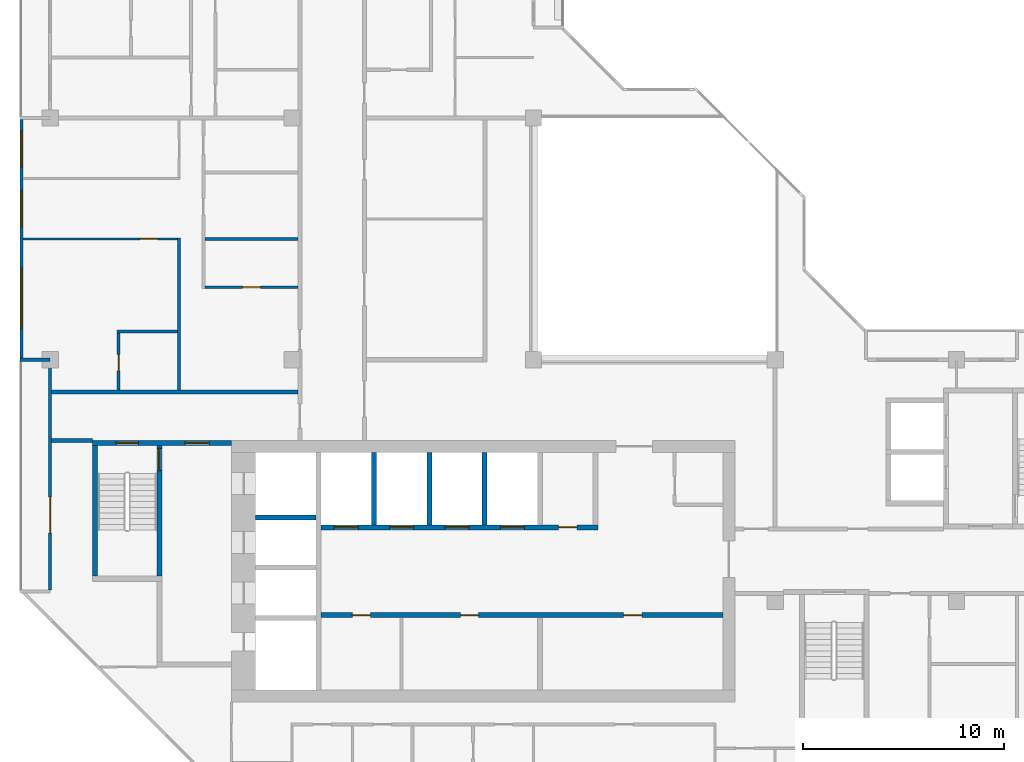
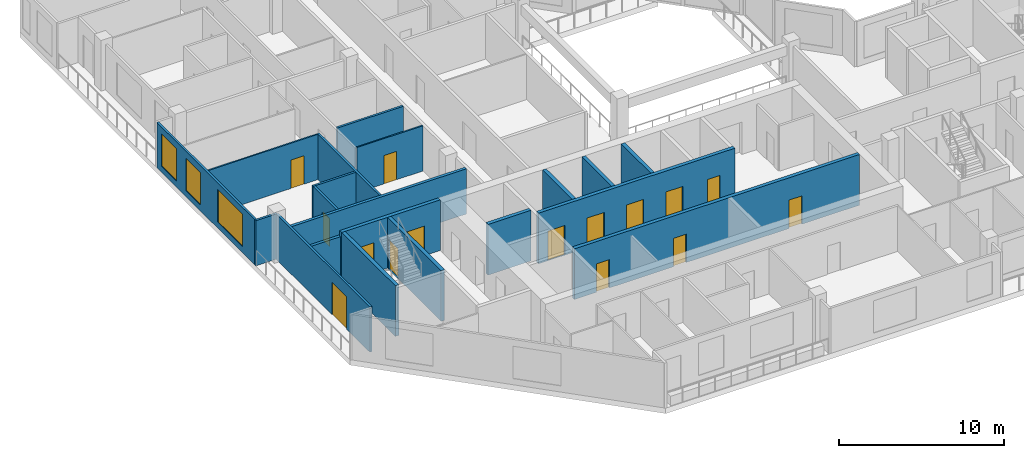
# One storey, part 5 of 13: 20 walls, 15 doors, 3 windows, 18 openings.
"""IFC4 building model written with IfcOpenShell, lengths in metres."""

from ifc_helpers import new_model, si_unit, direction, frame, frame_2d, origin, place, context, subcontext, project, spatial, rectangle, extrude, material, layer, layer_set, type_object, element, fill, save


model = new_model("IFC4")

# Units and contexts
model_context = context("Model", 3, precision=1e-05, world=origin(), true_north=direction((0.0, 1.0)))
body_context = subcontext(model_context, "Body", "Model", "MODEL_VIEW")
ifc_project = project(units=[si_unit("LENGTHUNIT", "METRE"), si_unit("AREAUNIT", "SQUARE_METRE"), si_unit("VOLUMEUNIT", "CUBIC_METRE"), si_unit("PLANEANGLEUNIT", "RADIAN"), si_unit("MASSUNIT", "GRAM", prefix="KILO")], contexts=[model_context])

# Site, building, storey
site_placement = place(None, origin())
site = spatial("IfcSite", under=ifc_project, at=site_placement, CompositionType="ELEMENT")
building_placement = place(site_placement, origin())
building = spatial("IfcBuilding", under=site, at=building_placement, Name="Chenar Terraces", CompositionType="ELEMENT")
storey_placement = place(building_placement, frame((0.0, 0.0, 314.64990234375)))
storey = spatial("IfcBuildingStorey", under=building, at=storey_placement, Name="L74", CompositionType="ELEMENT", Elevation=314.64990234375)

# Wall, openings, doors
ifc_material_1 = material(Name="Concrete C50/60", Category="concrete")
ifc_layer_1 = layer(ifc_material_1, 0.25)
ifc_layer_set_1 = layer_set([ifc_layer_1], Name="Concrete C50/60")
wall_type_1 = type_object("IfcWallType", Name="Core wall 250 Concrete C50/60", PredefinedType="SHEAR", material=ifc_layer_set_1)
wall_1_placement = place(storey_placement, frame((13.449951171875, 11.324951171875, 0.0), z_axis=(0.0, 0.0, 1.0), x_axis=(1.0, 0.0, 0.0)))
wall_1 = element("IfcWall", 1, at=wall_1_placement, inside=storey, type_object=wall_type_1, Name="Core wall SF L74", PredefinedType="SHEAR", context=body_context, shape_type="SweptSolid", body=[
    extrude(rectangle(XDim=19.949951171875, YDim=0.25, at=frame_2d((9.97509765625, 0.0))), origin(), (0.0, 0.0, 1.0), 3.75),
])
opening_1_placement = place(wall_1_placement, frame((1.550048828125, 0.0, 0.0)))
opening_1 = element("IfcOpeningElement", 2, at=opening_1_placement, cuts=wall_1, Name="Opening DL74-C12", PredefinedType="OPENING", context=body_context, shape_type="SweptSolid", body=[
    extrude(rectangle(XDim=0.89990234375, YDim=2.10009765625, at=frame_2d((0.449951171875, 1.050048828125))), frame((0.0, 0.135009765625, 0.0), z_axis=(0.0, -1.0, 0.0), x_axis=(1.0, 0.0, 0.0)), (0.0, 0.0, 1.0), 0.27001953125),
])
opening_2_placement = place(wall_1_placement, frame((6.925048828125, 0.0, 0.0)))
opening_2 = element("IfcOpeningElement", 3, at=opening_2_placement, cuts=wall_1, Name="Opening DL74-C13", PredefinedType="OPENING", context=body_context, shape_type="SweptSolid", body=[
    extrude(rectangle(XDim=0.89990234375, YDim=2.10009765625, at=frame_2d((0.449951171875, 1.050048828125))), frame((0.0, 0.135009765625, 0.0), z_axis=(0.0, -1.0, 0.0), x_axis=(1.0, 0.0, 0.0)), (0.0, 0.0, 1.0), 0.27001953125),
])
opening_3_placement = place(wall_1_placement, frame((15.02490234375, 0.0, 0.0)))
opening_3 = element("IfcOpeningElement", 4, at=opening_3_placement, cuts=wall_1, Name="Opening DL74-C14", PredefinedType="OPENING", context=body_context, shape_type="SweptSolid", body=[
    extrude(rectangle(XDim=0.89990234375, YDim=2.10009765625, at=frame_2d((0.449951171875, 1.050048828125))), frame((0.0, 0.135009765625, 0.0), z_axis=(0.0, -1.0, 0.0), x_axis=(1.0, 0.0, 0.0)), (0.0, 0.0, 1.0), 0.27001953125),
])
ifc_material_2 = material(Name="Steel-framed fire-resisting door leaf", Category="steel")
door_type_1 = type_object("IfcDoorType", Name="Riser fire door FD60 900 x 2100", OperationType="SINGLE_SWING_LEFT", PredefinedType="DOOR", material=ifc_material_2)
door_1_placement = place(opening_1_placement, frame((0.89990234375, 0.0, 0.0), z_axis=(0.0, 0.0, 1.0), x_axis=(-1.0, 0.0, 0.0)))
door_1 = element("IfcDoor", 5, at=door_1_placement, inside=storey, type_object=door_type_1, Name="Core room door DL74-C12", OperationType="SINGLE_SWING_LEFT", OverallHeight=2.10009765625, OverallWidth=0.89990234375, PredefinedType="DOOR", context=body_context, shape_type="SweptSolid", body=[
    extrude(rectangle(XDim=0.89990234375, YDim=2.10009765625, at=frame_2d((0.449951171875, 1.050048828125))), frame((0.0, 0.02490234375, 0.0), z_axis=(0.0, -1.0, 0.0), x_axis=(1.0, 0.0, 0.0)), (0.0, 0.0, 1.0), 0.050048828125),
])
fill(opening_1, door_1)
door_2_placement = place(opening_2_placement, frame((0.89990234375, 0.0, 0.0), z_axis=(0.0, 0.0, 1.0), x_axis=(-1.0, 0.0, 0.0)))
door_2 = element("IfcDoor", 6, at=door_2_placement, inside=storey, type_object=door_type_1, Name="Core room door DL74-C13", OperationType="SINGLE_SWING_RIGHT", OverallHeight=2.10009765625, OverallWidth=0.89990234375, PredefinedType="DOOR", context=body_context, shape_type="SweptSolid", body=[
    extrude(rectangle(XDim=0.89990234375, YDim=2.10009765625, at=frame_2d((0.449951171875, 1.050048828125))), frame((0.0, 0.02490234375, 0.0), z_axis=(0.0, -1.0, 0.0), x_axis=(1.0, 0.0, 0.0)), (0.0, 0.0, 1.0), 0.050048828125),
])
fill(opening_2, door_2)
door_3_placement = place(opening_3_placement, frame((0.89990234375, 0.0, 0.0), z_axis=(0.0, 0.0, 1.0), x_axis=(-1.0, 0.0, 0.0)))
door_3 = element("IfcDoor", 7, at=door_3_placement, inside=storey, type_object=door_type_1, Name="Core room door DL74-C14", OperationType="SINGLE_SWING_LEFT", OverallHeight=2.10009765625, OverallWidth=0.89990234375, PredefinedType="DOOR", context=body_context, shape_type="SweptSolid", body=[
    extrude(rectangle(XDim=0.89990234375, YDim=2.10009765625, at=frame_2d((0.449951171875, 1.050048828125))), frame((0.0, 0.02490234375, 0.0), z_axis=(0.0, -1.0, 0.0), x_axis=(1.0, 0.0, 0.0)), (0.0, 0.0, 1.0), 0.050048828125),
])
fill(opening_3, door_3)

wall_2_placement = place(storey_placement, frame((13.449951171875, 15.675048828125, 0.0), z_axis=(0.0, 0.0, 1.0), x_axis=(1.0, 0.0, 0.0)))
wall_2 = element("IfcWall", 8, at=wall_2_placement, inside=storey, type_object=wall_type_1, Name="Core wall NF L74", PredefinedType="SHEAR", context=body_context, shape_type="SweptSolid", body=[
    extrude(rectangle(XDim=13.75, YDim=0.25, at=frame_2d((6.875, 0.0))), origin(), (0.0, 0.0, 1.0), 3.75),
])
opening_4_placement = place(wall_2_placement, frame((0.64990234375, 0.0, 0.0)))
opening_4 = element("IfcOpeningElement", 9, at=opening_4_placement, cuts=wall_2, Name="Opening DL74-LD1", PredefinedType="OPENING", context=body_context, shape_type="SweptSolid", body=[
    extrude(rectangle(XDim=1.199951171875, YDim=2.199951171875, at=frame_2d((0.60009765625, 1.10009765625))), frame((0.0, 0.135009765625, 0.0), z_axis=(0.0, -1.0, 0.0), x_axis=(1.0, 0.0, 0.0)), (0.0, 0.0, 1.0), 0.27001953125),
])
opening_5_placement = place(wall_2_placement, frame((3.39990234375, 0.0, 0.0)))
opening_5 = element("IfcOpeningElement", 10, at=opening_5_placement, cuts=wall_2, Name="Opening DL74-LD2", PredefinedType="OPENING", context=body_context, shape_type="SweptSolid", body=[
    extrude(rectangle(XDim=1.199951171875, YDim=2.199951171875, at=frame_2d((0.60009765625, 1.10009765625))), frame((0.0, 0.135009765625, 0.0), z_axis=(0.0, -1.0, 0.0), x_axis=(1.0, 0.0, 0.0)), (0.0, 0.0, 1.0), 0.27001953125),
])
opening_6_placement = place(wall_2_placement, frame((6.14990234375, 0.0, 0.0)))
opening_6 = element("IfcOpeningElement", 11, at=opening_6_placement, cuts=wall_2, Name="Opening DL74-LD3", PredefinedType="OPENING", context=body_context, shape_type="SweptSolid", body=[
    extrude(rectangle(XDim=1.199951171875, YDim=2.199951171875, at=frame_2d((0.60009765625, 1.10009765625))), frame((0.0, 0.135009765625, 0.0), z_axis=(0.0, -1.0, 0.0), x_axis=(1.0, 0.0, 0.0)), (0.0, 0.0, 1.0), 0.27001953125),
])
opening_7_placement = place(wall_2_placement, frame((8.89990234375, 0.0, 0.0)))
opening_7 = element("IfcOpeningElement", 12, at=opening_7_placement, cuts=wall_2, Name="Opening DL74-LD4", PredefinedType="OPENING", context=body_context, shape_type="SweptSolid", body=[
    extrude(rectangle(XDim=1.199951171875, YDim=2.199951171875, at=frame_2d((0.60009765625, 1.10009765625))), frame((0.0, 0.135009765625, 0.0), z_axis=(0.0, -1.0, 0.0), x_axis=(1.0, 0.0, 0.0)), (0.0, 0.0, 1.0), 0.27001953125),
])
opening_8_placement = place(wall_2_placement, frame((11.800048828125, 0.0, 0.0)))
opening_8 = element("IfcOpeningElement", 13, at=opening_8_placement, cuts=wall_2, Name="Opening DL74-C15", PredefinedType="OPENING", context=body_context, shape_type="SweptSolid", body=[
    extrude(rectangle(XDim=0.89990234375, YDim=2.10009765625, at=frame_2d((0.449951171875, 1.050048828125))), frame((0.0, 0.135009765625, 0.0), z_axis=(0.0, -1.0, 0.0), x_axis=(1.0, 0.0, 0.0)), (0.0, 0.0, 1.0), 0.27001953125),
])
ifc_material_3 = material(Name="Stainless steel", Category="steel")
door_type_2 = type_object("IfcDoorType", Name="Lift landing door 1200 x 2200 sliding", OperationType="DOUBLE_DOOR_SLIDING", PredefinedType="DOOR", material=ifc_material_3)
door_4_placement = place(opening_4_placement, origin())
door_4 = element("IfcDoor", 14, at=door_4_placement, inside=storey, type_object=door_type_2, Name="Landing door H1", OperationType="DOUBLE_DOOR_SLIDING", OverallHeight=2.199951171875, OverallWidth=1.199951171875, PredefinedType="DOOR", context=body_context, shape_type="SweptSolid", body=[
    extrude(rectangle(XDim=1.199951171875, YDim=2.199951171875, at=frame_2d((0.60009765625, 1.10009765625))), frame((0.0, 0.02490234375, 0.0), z_axis=(0.0, -1.0, 0.0), x_axis=(1.0, 0.0, 0.0)), (0.0, 0.0, 1.0), 0.050048828125),
])
fill(opening_4, door_4)
door_5_placement = place(opening_5_placement, origin())
door_5 = element("IfcDoor", 15, at=door_5_placement, inside=storey, type_object=door_type_2, Name="Landing door H2", OperationType="DOUBLE_DOOR_SLIDING", OverallHeight=2.199951171875, OverallWidth=1.199951171875, PredefinedType="DOOR", context=body_context, shape_type="SweptSolid", body=[
    extrude(rectangle(XDim=1.199951171875, YDim=2.199951171875, at=frame_2d((0.60009765625, 1.10009765625))), frame((0.0, 0.02490234375, 0.0), z_axis=(0.0, -1.0, 0.0), x_axis=(1.0, 0.0, 0.0)), (0.0, 0.0, 1.0), 0.050048828125),
])
fill(opening_5, door_5)
door_6_placement = place(opening_6_placement, origin())
door_6 = element("IfcDoor", 16, at=door_6_placement, inside=storey, type_object=door_type_2, Name="Landing door H3", OperationType="DOUBLE_DOOR_SLIDING", OverallHeight=2.199951171875, OverallWidth=1.199951171875, PredefinedType="DOOR", context=body_context, shape_type="SweptSolid", body=[
    extrude(rectangle(XDim=1.199951171875, YDim=2.199951171875, at=frame_2d((0.60009765625, 1.10009765625))), frame((0.0, 0.02490234375, 0.0), z_axis=(0.0, -1.0, 0.0), x_axis=(1.0, 0.0, 0.0)), (0.0, 0.0, 1.0), 0.050048828125),
])
fill(opening_6, door_6)
door_7_placement = place(opening_7_placement, origin())
door_7 = element("IfcDoor", 17, at=door_7_placement, inside=storey, type_object=door_type_2, Name="Landing door H4", OperationType="DOUBLE_DOOR_SLIDING", OverallHeight=2.199951171875, OverallWidth=1.199951171875, PredefinedType="DOOR", context=body_context, shape_type="SweptSolid", body=[
    extrude(rectangle(XDim=1.199951171875, YDim=2.199951171875, at=frame_2d((0.60009765625, 1.10009765625))), frame((0.0, 0.02490234375, 0.0), z_axis=(0.0, -1.0, 0.0), x_axis=(1.0, 0.0, 0.0)), (0.0, 0.0, 1.0), 0.050048828125),
])
fill(opening_7, door_7)
door_8_placement = place(opening_8_placement, origin())
door_8 = element("IfcDoor", 18, at=door_8_placement, inside=storey, type_object=door_type_1, Name="Core room door DL74-C15", OperationType="SINGLE_SWING_RIGHT", OverallHeight=2.10009765625, OverallWidth=0.89990234375, PredefinedType="DOOR", context=body_context, shape_type="SweptSolid", body=[
    extrude(rectangle(XDim=0.89990234375, YDim=2.10009765625, at=frame_2d((0.449951171875, 1.050048828125))), frame((0.0, 0.02490234375, 0.0), z_axis=(0.0, -1.0, 0.0), x_axis=(1.0, 0.0, 0.0)), (0.0, 0.0, 1.0), 0.050048828125),
])
fill(opening_8, door_8)

# Walls
wall_3_placement = place(storey_placement, frame((10.199951171875, 16.175048828125, 0.0), z_axis=(0.0, 0.0, 1.0), x_axis=(1.0, 0.0, 0.0)))
element("IfcWall", 19, at=wall_3_placement, inside=storey, type_object=wall_type_1, Name="Core wall HW2 L74", PredefinedType="SHEAR", context=body_context, shape_type="SweptSolid", body=[
    extrude(rectangle(XDim=3.0, YDim=0.25, at=frame_2d((1.5, 0.0))), origin(), (0.0, 0.0, 1.0), 3.75),
])
for number, where, z_axis, x_axis, name in (
    (20, (16.074951171875, 15.800048828125, 0.0), (0.0, 0.0, 1.0), (0.0, 1.0, 0.0), "Core wall NS0 L74"),
    (21, (18.824951171875, 15.800048828125, 0.0), (0.0, 0.0, 1.0), (0.0, 1.0, 0.0), "Core wall NS1 L74"),
    (22, (21.574951171875, 15.800048828125, 0.0), (0.0, 0.0, 1.0), (0.0, 1.0, 0.0), "Core wall NS2 L74"),
):
    element("IfcWall", number, at=place(storey_placement, frame(where, z_axis=z_axis, x_axis=x_axis)), inside=storey, type_object=wall_type_1, Name=name, PredefinedType="SHEAR", context=body_context, shape_type="SweptSolid", body=[
        extrude(rectangle(XDim=3.599853515625, YDim=0.25, at=frame_2d((1.7998046875, 0.0))), origin(), (0.0, 0.0, 1.0), 3.75),
    ])

# Wall, openings, doors
wall_4_placement = place(storey_placement, frame((2.10009765625, 19.875, 0.0), z_axis=(0.0, 0.0, 1.0), x_axis=(1.0, 0.0, 0.0)))
wall_4 = element("IfcWall", 23, at=wall_4_placement, inside=storey, type_object=wall_type_1, Name="Core wall A_N L74", PredefinedType="SHEAR", context=body_context, shape_type="SweptSolid", body=[
    extrude(rectangle(XDim=6.89990234375, YDim=0.25, at=frame_2d((3.449951171875, 0.0))), origin(), (0.0, 0.0, 1.0), 3.75),
])
opening_9_placement = place(wall_4_placement, frame((1.175048828125, 0.0, 0.0)))
opening_9 = element("IfcOpeningElement", 24, at=opening_9_placement, cuts=wall_4, Name="Opening DL74-C5", PredefinedType="OPENING", context=body_context, shape_type="SweptSolid", body=[
    extrude(rectangle(XDim=1.10009765625, YDim=2.199951171875, at=frame_2d((0.550048828125, 1.10009765625))), frame((0.0, 0.135009765625, 0.0), z_axis=(0.0, -1.0, 0.0), x_axis=(1.0, 0.0, 0.0)), (0.0, 0.0, 1.0), 0.27001953125),
])
opening_10_placement = place(wall_4_placement, frame((4.60009765625, 0.0, 0.0)))
opening_10 = element("IfcOpeningElement", 25, at=opening_10_placement, cuts=wall_4, Name="Opening DL74-C6", PredefinedType="OPENING", context=body_context, shape_type="SweptSolid", body=[
    extrude(rectangle(XDim=1.199951171875, YDim=2.199951171875, at=frame_2d((0.60009765625, 1.10009765625))), frame((0.0, 0.135009765625, 0.0), z_axis=(0.0, -1.0, 0.0), x_axis=(1.0, 0.0, 0.0)), (0.0, 0.0, 1.0), 0.27001953125),
])
ifc_material_4 = material(Name="Steel-framed fire-resisting door leaf", Category="steel")
door_type_3 = type_object("IfcDoorType", Name="Lobby fire door FD60 1200 x 2200", OperationType="SINGLE_SWING_LEFT", PredefinedType="DOOR", material=ifc_material_4)
door_9_placement = place(opening_10_placement, frame((1.199951171875, 0.0, 0.0), z_axis=(0.0, 0.0, 1.0), x_axis=(-1.0, 0.0, 0.0)))
door_9 = element("IfcDoor", 26, at=door_9_placement, inside=storey, type_object=door_type_3, Name="Core door DL74-C6", OperationType="SINGLE_SWING_LEFT", OverallHeight=2.199951171875, OverallWidth=1.199951171875, PredefinedType="DOOR", context=body_context, shape_type="SweptSolid", body=[
    extrude(rectangle(XDim=1.199951171875, YDim=2.199951171875, at=frame_2d((0.60009765625, 1.10009765625))), frame((0.0, 0.02490234375, 0.0), z_axis=(0.0, -1.0, 0.0), x_axis=(1.0, 0.0, 0.0)), (0.0, 0.0, 1.0), 0.050048828125),
])
fill(opening_10, door_9)
ifc_material_5 = material(Name="Steel-framed fire-resisting door leaf", Category="steel")
door_type_4 = type_object("IfcDoorType", Name="Stair fire door FD60 1100 x 2200", OperationType="SINGLE_SWING_LEFT", PredefinedType="DOOR", material=ifc_material_5)
door_10_placement = place(opening_9_placement, origin())
door_10 = element("IfcDoor", 27, at=door_10_placement, inside=storey, type_object=door_type_4, Name="Stair door DL74-C5", OperationType="SINGLE_SWING_LEFT", OverallHeight=2.199951171875, OverallWidth=1.10009765625, PredefinedType="DOOR", context=body_context, shape_type="SweptSolid", body=[
    extrude(rectangle(XDim=1.10009765625, YDim=2.199951171875, at=frame_2d((0.550048828125, 1.10009765625))), frame((0.0, 0.02490234375, 0.0), z_axis=(0.0, -1.0, 0.0), x_axis=(1.0, 0.0, 0.0)), (0.0, 0.0, 1.0), 0.050048828125),
])
fill(opening_9, door_10)

# Wall
wall_5_placement = place(storey_placement, frame((2.22509765625, 13.25, 0.0), z_axis=(0.0, 0.0, 1.0), x_axis=(0.0, 1.0, 0.0)))
element("IfcWall", 28, at=wall_5_placement, inside=storey, type_object=wall_type_1, Name="Core wall ST1_W L74", PredefinedType="SHEAR", context=body_context, shape_type="SweptSolid", body=[
    extrude(rectangle(XDim=6.5, YDim=0.25, at=frame_2d((3.25, 0.0))), origin(), (0.0, 0.0, 1.0), 3.75),
])

# Wall, opening, door
wall_6_placement = place(storey_placement, frame((5.425048828125, 13.25, 0.0), z_axis=(0.0, 0.0, 1.0), x_axis=(0.0, 1.0, 0.0)))
wall_6 = element("IfcWall", 29, at=wall_6_placement, inside=storey, type_object=wall_type_1, Name="Core wall ST1_E L74", PredefinedType="SHEAR", context=body_context, shape_type="SweptSolid", body=[
    extrude(rectangle(XDim=6.5, YDim=0.25, at=frame_2d((3.25, 0.0))), origin(), (0.0, 0.0, 1.0), 3.75),
])
opening_11_placement = place(wall_6_placement, frame((5.25, 0.0, 0.0)))
opening_11 = element("IfcOpeningElement", 30, at=opening_11_placement, cuts=wall_6, Name="Opening DL74-C3", PredefinedType="OPENING", context=body_context, shape_type="SweptSolid", body=[
    extrude(rectangle(XDim=1.10009765625, YDim=2.199951171875, at=frame_2d((0.550048828125, 1.10009765625))), frame((0.0, 0.135009765625, 0.0), z_axis=(0.0, -1.0, 0.0), x_axis=(1.0, 0.0, 0.0)), (0.0, 0.0, 1.0), 0.27001953125),
])
door_11_placement = place(opening_11_placement, origin())
door_11 = element("IfcDoor", 31, at=door_11_placement, inside=storey, type_object=door_type_4, Name="Stair door DL74-C3", OperationType="SINGLE_SWING_RIGHT", OverallHeight=2.199951171875, OverallWidth=1.10009765625, PredefinedType="DOOR", context=body_context, shape_type="SweptSolid", body=[
    extrude(rectangle(XDim=1.10009765625, YDim=2.199951171875, at=frame_2d((0.550048828125, 1.10009765625))), frame((0.0, 0.02490234375, 0.0), z_axis=(0.0, -1.0, 0.0), x_axis=(1.0, 0.0, 0.0)), (0.0, 0.0, 1.0), 0.050048828125),
])
fill(opening_11, door_11)

# Walls
ifc_material_6 = material(Name="Gypsum board on steel studs with fire boards", Category="steel")
ifc_layer_2 = layer(ifc_material_6, 0.199951171875)
ifc_layer_set_2 = layer_set([ifc_layer_2], Name="Gypsum board on steel studs with fire boards")
wall_type_2 = type_object("IfcWallType", Name="Corridor wall 200", PredefinedType="PARTITIONING", material=ifc_layer_set_2)
wall_7_placement = place(storey_placement, frame((0.073974609375, 20.0, 0.0), z_axis=(0.0, 0.0, 1.0), x_axis=(1.0, 0.0, 0.0)))
element("IfcWall", 32, at=wall_7_placement, inside=storey, type_object=wall_type_2, Name="Partition L74-006", PredefinedType="PARTITIONING", context=body_context, shape_type="SweptSolid", body=[
    extrude(rectangle(XDim=2.026123046875, YDim=0.199951171875, at=frame_2d((1.01318359375, 0.0))), origin(), (0.0, 0.0, 1.0), 3.35009765625),
])
wall_8_placement = place(storey_placement, frame((0.073974609375, 22.39990234375, 0.0), z_axis=(0.0, 0.0, 1.0), x_axis=(1.0, 0.0, 0.0)))
element("IfcWall", 33, at=wall_8_placement, inside=storey, type_object=wall_type_2, Name="Partition L74-007", PredefinedType="PARTITIONING", context=body_context, shape_type="SweptSolid", body=[
    extrude(rectangle(XDim=12.22607421875, YDim=0.199951171875, at=frame_2d((6.113037109375, 0.0))), origin(), (0.0, 0.0, 1.0), 3.35009765625),
])

# Wall, openings, windows
ifc_material_7 = material(Name="Aluminium framed glazing", Category="aluminium")
ifc_layer_3 = layer(ifc_material_7, 0.14990234375)
ifc_layer_set_3 = layer_set([ifc_layer_3], Name="Aluminium framed glazing")
wall_type_3 = type_object("IfcWallType", Name="Glazed flush facade wall 150", PredefinedType="SOLIDWALL", material=ifc_layer_set_3)
wall_9_placement = place(storey_placement, frame((-1.425048828125, 35.925048828125, 0.0), z_axis=(0.0, 0.0, 1.0), x_axis=(0.0, -1.0, 0.0)))
wall_9 = element("IfcWall", 34, at=wall_9_placement, inside=storey, type_object=wall_type_3, Name="Glazed flush facade wall", PredefinedType="SOLIDWALL", context=body_context, shape_type="SweptSolid", body=[
    extrude(rectangle(XDim=11.85009765625, YDim=0.14990234375, at=frame_2d((5.925048828125, 0.0))), origin(), (0.0, 0.0, 1.0), 3.35009765625),
])
opening_12_placement = place(wall_9_placement, frame((0.5625, 0.0, 0.449951171875)))
opening_12 = element("IfcOpeningElement", 35, at=opening_12_placement, cuts=wall_9, Name="Opening W180x240", PredefinedType="OPENING", context=body_context, shape_type="SweptSolid", body=[
    extrude(rectangle(XDim=1.800048828125, YDim=2.39990234375, at=frame_2d((0.89990234375, 1.199951171875))), frame((0.0, 0.0849609375, 0.0), z_axis=(0.0, -1.0, 0.0), x_axis=(1.0, 0.0, 0.0)), (0.0, 0.0, 1.0), 0.169921875),
])
opening_13_placement = place(wall_9_placement, frame((3.52490234375, 0.0, 0.449951171875)))
opening_13 = element("IfcOpeningElement", 36, at=opening_13_placement, cuts=wall_9, Name="Opening W180x240", PredefinedType="OPENING", context=body_context, shape_type="SweptSolid", body=[
    extrude(rectangle(XDim=1.800048828125, YDim=2.39990234375, at=frame_2d((0.89990234375, 1.199951171875))), frame((0.0, 0.0849609375, 0.0), z_axis=(0.0, -1.0, 0.0), x_axis=(1.0, 0.0, 0.0)), (0.0, 0.0, 1.0), 0.169921875),
])
opening_14_placement = place(wall_9_placement, frame((7.387451171875, 0.0, 0.449951171875)))
opening_14 = element("IfcOpeningElement", 37, at=opening_14_placement, cuts=wall_9, Name="Opening W300x240", PredefinedType="OPENING", context=body_context, shape_type="SweptSolid", body=[
    extrude(rectangle(XDim=3.0, YDim=2.39990234375, at=frame_2d((1.5, 1.199951171875))), frame((0.0, 0.0849609375, 0.0), z_axis=(0.0, -1.0, 0.0), x_axis=(1.0, 0.0, 0.0)), (0.0, 0.0, 1.0), 0.169921875),
])
ifc_material_8 = material(Name="Low emissivity double glazing, aluminium frame", Category="aluminium")
window_type_1 = type_object("IfcWindowType", Name="Fixed light 1800 x 2400", PartitioningType="SINGLE_PANEL", PredefinedType="WINDOW", material=ifc_material_8)
window_1_placement = place(opening_12_placement, origin())
window_1 = element("IfcWindow", 38, at=window_1_placement, inside=storey, type_object=window_type_1, Name="Window", OverallHeight=2.39990234375, OverallWidth=1.800048828125, PartitioningType="SINGLE_PANEL", PredefinedType="WINDOW", context=body_context, shape_type="SweptSolid", body=[
    extrude(rectangle(XDim=1.800048828125, YDim=2.39990234375, at=frame_2d((0.89990234375, 1.199951171875))), frame((0.0, 0.030029296875, 0.0), z_axis=(0.0, -1.0, 0.0), x_axis=(1.0, 0.0, 0.0)), (0.0, 0.0, 1.0), 0.06005859375),
])
fill(opening_12, window_1)
window_2_placement = place(opening_13_placement, origin())
window_2 = element("IfcWindow", 39, at=window_2_placement, inside=storey, type_object=window_type_1, Name="Window", OverallHeight=2.39990234375, OverallWidth=1.800048828125, PartitioningType="SINGLE_PANEL", PredefinedType="WINDOW", context=body_context, shape_type="SweptSolid", body=[
    extrude(rectangle(XDim=1.800048828125, YDim=2.39990234375, at=frame_2d((0.89990234375, 1.199951171875))), frame((0.0, 0.030029296875, 0.0), z_axis=(0.0, -1.0, 0.0), x_axis=(1.0, 0.0, 0.0)), (0.0, 0.0, 1.0), 0.06005859375),
])
fill(opening_13, window_2)
ifc_material_9 = material(Name="Low emissivity double glazing, aluminium frame", Category="aluminium")
window_type_2 = type_object("IfcWindowType", Name="Fixed light 3000 x 2400", PartitioningType="SINGLE_PANEL", PredefinedType="WINDOW", material=ifc_material_9)
window_3_placement = place(opening_14_placement, origin())
window_3 = element("IfcWindow", 40, at=window_3_placement, inside=storey, type_object=window_type_2, Name="Window", OverallHeight=2.39990234375, OverallWidth=3.0, PartitioningType="SINGLE_PANEL", PredefinedType="WINDOW", context=body_context, shape_type="SweptSolid", body=[
    extrude(rectangle(XDim=3.0, YDim=2.39990234375, at=frame_2d((1.5, 1.199951171875))), frame((0.0, 0.030029296875, 0.0), z_axis=(0.0, -1.0, 0.0), x_axis=(1.0, 0.0, 0.0)), (0.0, 0.0, 1.0), 0.06005859375),
])
fill(opening_14, window_3)

# Wall, opening, door
ifc_material_10 = material(Name="Aluminium framed glazing", Category="aluminium")
ifc_layer_4 = layer(ifc_material_10, 0.14990234375)
ifc_layer_set_4 = layer_set([ifc_layer_4], Name="Aluminium framed glazing")
wall_type_4 = type_object("IfcWallType", Name="Glazed loggia back wall 150", PredefinedType="SOLIDWALL", material=ifc_layer_set_4)
wall_10_placement = place(storey_placement, frame((0.0, 23.925048828125, 0.0), z_axis=(0.0, 0.0, 1.0), x_axis=(0.0, -1.0, 0.0)))
wall_10 = element("IfcWall", 41, at=wall_10_placement, inside=storey, type_object=wall_type_4, Name="Glazed loggia back wall", PredefinedType="SOLIDWALL", context=body_context, shape_type="SweptSolid", body=[
    extrude(rectangle(XDim=11.35009765625, YDim=0.14990234375, at=frame_2d((5.675048828125, 0.0))), origin(), (0.0, 0.0, 1.0), 3.35009765625),
])
opening_15_placement = place(wall_10_placement, frame((6.737548828125, 0.0, 0.0)))
opening_15 = element("IfcOpeningElement", 42, at=opening_15_placement, cuts=wall_10, Name="Opening DL74-G3", PredefinedType="OPENING", context=body_context, shape_type="SweptSolid", body=[
    extrude(rectangle(XDim=1.800048828125, YDim=2.39990234375, at=frame_2d((0.89990234375, 1.199951171875))), frame((0.0, 0.0849609375, 0.0), z_axis=(0.0, -1.0, 0.0), x_axis=(1.0, 0.0, 0.0)), (0.0, 0.0, 1.0), 0.169921875),
])
ifc_material_11 = material(Name="Low emissivity double glazing, aluminium frame", Category="aluminium")
door_type_5 = type_object("IfcDoorType", Name="Loggia glazed double door 1800 x 2400", OperationType="DOUBLE_DOOR_SINGLE_SWING", PredefinedType="DOOR", material=ifc_material_11)
door_12_placement = place(opening_15_placement, frame((1.800048828125, 0.0, 0.0), z_axis=(0.0, 0.0, 1.0), x_axis=(-1.0, 0.0, 0.0)))
door_12 = element("IfcDoor", 43, at=door_12_placement, inside=storey, type_object=door_type_5, Name="Loggia glazed door", OperationType="DOUBLE_DOOR_SINGLE_SWING", OverallHeight=2.39990234375, OverallWidth=1.800048828125, PredefinedType="DOOR", context=body_context, shape_type="SweptSolid", body=[
    extrude(rectangle(XDim=1.800048828125, YDim=2.39990234375, at=frame_2d((0.89990234375, 1.199951171875))), frame((0.0, 0.02490234375, 0.0), z_axis=(0.0, -1.0, 0.0), x_axis=(1.0, 0.0, 0.0)), (0.0, 0.0, 1.0), 0.050048828125),
])
fill(opening_15, door_12)

ifc_material_12 = material(Name="Gypsum board on steel studs", Category="steel")
ifc_layer_5 = layer(ifc_material_12, 0.10009765625)
ifc_layer_set_5 = layer_set([ifc_layer_5], Name="Gypsum board on steel studs")
wall_type_5 = type_object("IfcWallType", Name="Gypsum partition 100", PredefinedType="PARTITIONING", material=ifc_layer_set_5)
wall_11_placement = place(storey_placement, frame((-1.35009765625, 30.0, 0.0), z_axis=(0.0, 0.0, 1.0), x_axis=(1.0, 0.0, 0.0)))
wall_11 = element("IfcWall", 44, at=wall_11_placement, inside=storey, type_object=wall_type_5, Name="Partition L74-002", PredefinedType="PARTITIONING", context=body_context, shape_type="SweptSolid", body=[
    extrude(rectangle(XDim=7.675048828125, YDim=0.10009765625, at=frame_2d((3.83740234375, 0.0))), origin(), (0.0, 0.0, 1.0), 3.35009765625),
])
opening_16_placement = place(wall_11_placement, frame((5.800048828125, 0.0, 0.0)))
opening_16 = element("IfcOpeningElement", 45, at=opening_16_placement, cuts=wall_11, Name="Opening DL74-52", PredefinedType="OPENING", context=body_context, shape_type="SweptSolid", body=[
    extrude(rectangle(XDim=0.89990234375, YDim=2.10009765625, at=frame_2d((0.449951171875, 1.050048828125))), frame((0.0, 0.06005859375, 0.0), z_axis=(0.0, -1.0, 0.0), x_axis=(1.0, 0.0, 0.0)), (0.0, 0.0, 1.0), 0.1201171875),
])
ifc_material_13 = material(Name="Veneered timber door leaf", Category="wood")
door_type_6 = type_object("IfcDoorType", Name="Door 900 x 2100", OperationType="SINGLE_SWING_LEFT", PredefinedType="DOOR", material=ifc_material_13)
door_13_placement = place(opening_16_placement, frame((0.89990234375, 0.0, 0.0), z_axis=(0.0, 0.0, 1.0), x_axis=(-1.0, 0.0, 0.0)))
door_13 = element("IfcDoor", 46, at=door_13_placement, inside=storey, type_object=door_type_6, Name="Door DL74-52", OperationType="SINGLE_SWING_LEFT", OverallHeight=2.10009765625, OverallWidth=0.89990234375, PredefinedType="DOOR", context=body_context, shape_type="SweptSolid", body=[
    extrude(rectangle(XDim=0.89990234375, YDim=2.10009765625, at=frame_2d((0.449951171875, 1.050048828125))), frame((0.0, 0.02490234375, 0.0), z_axis=(0.0, -1.0, 0.0), x_axis=(1.0, 0.0, 0.0)), (0.0, 0.0, 1.0), 0.050048828125),
])
fill(opening_16, door_13)

wall_12_placement = place(storey_placement, frame((7.675048828125, 27.60009765625, 0.0), z_axis=(0.0, 0.0, 1.0), x_axis=(1.0, 0.0, 0.0)))
wall_12 = element("IfcWall", 47, at=wall_12_placement, inside=storey, type_object=wall_type_5, Name="Partition L74-022", PredefinedType="PARTITIONING", context=body_context, shape_type="SweptSolid", body=[
    extrude(rectangle(XDim=4.625, YDim=0.10009765625, at=frame_2d((2.3125, 0.0))), origin(), (0.0, 0.0, 1.0), 3.35009765625),
])
opening_17_placement = place(wall_12_placement, frame((1.875, 0.0, 0.0)))
opening_17 = element("IfcOpeningElement", 48, at=opening_17_placement, cuts=wall_12, Name="Opening DL74-54", PredefinedType="OPENING", context=body_context, shape_type="SweptSolid", body=[
    extrude(rectangle(XDim=0.89990234375, YDim=2.10009765625, at=frame_2d((0.449951171875, 1.050048828125))), frame((0.0, 0.06005859375, 0.0), z_axis=(0.0, -1.0, 0.0), x_axis=(1.0, 0.0, 0.0)), (0.0, 0.0, 1.0), 0.1201171875),
])
door_14_placement = place(opening_17_placement, origin())
door_14 = element("IfcDoor", 49, at=door_14_placement, inside=storey, type_object=door_type_6, Name="Door DL74-54", OperationType="SINGLE_SWING_LEFT", OverallHeight=2.10009765625, OverallWidth=0.89990234375, PredefinedType="DOOR", context=body_context, shape_type="SweptSolid", body=[
    extrude(rectangle(XDim=0.89990234375, YDim=2.10009765625, at=frame_2d((0.449951171875, 1.050048828125))), frame((0.0, 0.02490234375, 0.0), z_axis=(0.0, -1.0, 0.0), x_axis=(1.0, 0.0, 0.0)), (0.0, 0.0, 1.0), 0.050048828125),
])
fill(opening_17, door_14)

# Walls
ifc_material_14 = material(Name="Terracotta cladding on insulated backing", Category="masonry")
ifc_layer_6 = layer(ifc_material_14, 0.14990234375)
ifc_layer_set_6 = layer_set([ifc_layer_6], Name="Terracotta cladding on insulated backing")
wall_type_6 = type_object("IfcWallType", Name="Loggia return wall 150", PredefinedType="SOLIDWALL", material=ifc_layer_set_6)
wall_13_placement = place(storey_placement, frame((-1.5, 24.0, 0.0), z_axis=(0.0, 0.0, 1.0), x_axis=(1.0, 0.0, 0.0)))
element("IfcWall", 50, at=wall_13_placement, inside=storey, type_object=wall_type_6, Name="Loggia return wall", PredefinedType="SOLIDWALL", context=body_context, shape_type="SweptSolid", body=[
    extrude(rectangle(XDim=1.5, YDim=0.14990234375, at=frame_2d((0.75, 0.0))), origin(), (0.0, 0.0, 1.0), 3.35009765625),
])
ifc_material_15 = material(Name="Moisture-resistant gypsum board on steel studs", Category="steel")
ifc_layer_7 = layer(ifc_material_15, 0.14990234375)
ifc_layer_set_7 = layer_set([ifc_layer_7], Name="Moisture-resistant gypsum board on steel studs")
wall_type_7 = type_object("IfcWallType", Name="Wet-room partition 150", PredefinedType="PARTITIONING", material=ifc_layer_set_7)
wall_14_placement = place(storey_placement, frame((3.324951171875, 25.39990234375, 0.0), z_axis=(0.0, 0.0, 1.0), x_axis=(1.0, 0.0, 0.0)))
element("IfcWall", 51, at=wall_14_placement, inside=storey, type_object=wall_type_7, Name="Partition L74-011", PredefinedType="PARTITIONING", context=body_context, shape_type="SweptSolid", body=[
    extrude(rectangle(XDim=3.0, YDim=0.14990234375, at=frame_2d((1.5, 0.0))), origin(), (0.0, 0.0, 1.0), 3.35009765625),
])

# Wall, opening, door
wall_15_placement = place(storey_placement, frame((3.39990234375, 22.5, 0.0), z_axis=(0.0, 0.0, 1.0), x_axis=(0.0, 1.0, 0.0)))
wall_15 = element("IfcWall", 52, at=wall_15_placement, inside=storey, type_object=wall_type_7, Name="Partition L74-012", PredefinedType="PARTITIONING", context=body_context, shape_type="SweptSolid", body=[
    extrude(rectangle(XDim=2.824951171875, YDim=0.14990234375, at=frame_2d((1.41259765625, 0.0))), origin(), (0.0, 0.0, 1.0), 3.35009765625),
])
opening_18_placement = place(wall_15_placement, frame((0.949951171875, 0.0, 0.0)))
opening_18 = element("IfcOpeningElement", 53, at=opening_18_placement, cuts=wall_15, Name="Opening DL74-53", PredefinedType="OPENING", context=body_context, shape_type="SweptSolid", body=[
    extrude(rectangle(XDim=0.800048828125, YDim=2.10009765625, at=frame_2d((0.39990234375, 1.050048828125))), frame((0.0, 0.0849609375, 0.0), z_axis=(0.0, -1.0, 0.0), x_axis=(1.0, 0.0, 0.0)), (0.0, 0.0, 1.0), 0.169921875),
])
ifc_material_16 = material(Name="Veneered timber door leaf", Category="wood")
door_type_7 = type_object("IfcDoorType", Name="Door 800 x 2100", OperationType="SINGLE_SWING_LEFT", PredefinedType="DOOR", material=ifc_material_16)
door_15_placement = place(opening_18_placement, frame((0.800048828125, 0.0, 0.0), z_axis=(0.0, 0.0, 1.0), x_axis=(-1.0, 0.0, 0.0)))
door_15 = element("IfcDoor", 54, at=door_15_placement, inside=storey, type_object=door_type_7, Name="Door DL74-53", OperationType="SINGLE_SWING_RIGHT", OverallHeight=2.10009765625, OverallWidth=0.800048828125, PredefinedType="DOOR", context=body_context, shape_type="SweptSolid", body=[
    extrude(rectangle(XDim=0.800048828125, YDim=2.10009765625, at=frame_2d((0.39990234375, 1.050048828125))), frame((0.0, 0.02490234375, 0.0), z_axis=(0.0, -1.0, 0.0), x_axis=(1.0, 0.0, 0.0)), (0.0, 0.0, 1.0), 0.050048828125),
])
fill(opening_18, door_15)

# Walls
wall_16_placement = place(storey_placement, frame((6.39990234375, 22.5, 0.0), z_axis=(0.0, 0.0, 1.0), x_axis=(0.0, 1.0, 0.0)))
element("IfcWall", 55, at=wall_16_placement, inside=storey, type_object=wall_type_7, Name="Partition L74-017", PredefinedType="PARTITIONING", context=body_context, shape_type="SweptSolid", body=[
    extrude(rectangle(XDim=7.550048828125, YDim=0.14990234375, at=frame_2d((3.77490234375, 0.0))), origin(), (0.0, 0.0, 1.0), 3.35009765625),
])
wall_17_placement = place(storey_placement, frame((7.675048828125, 30.0, 0.0), z_axis=(0.0, 0.0, 1.0), x_axis=(1.0, 0.0, 0.0)))
element("IfcWall", 56, at=wall_17_placement, inside=storey, type_object=wall_type_7, Name="Partition L74-023", PredefinedType="PARTITIONING", context=body_context, shape_type="SweptSolid", body=[
    extrude(rectangle(XDim=4.625, YDim=0.14990234375, at=frame_2d((2.3125, 0.0))), origin(), (0.0, 0.0, 1.0), 3.35009765625),
])

save(model, "model.ifc")
